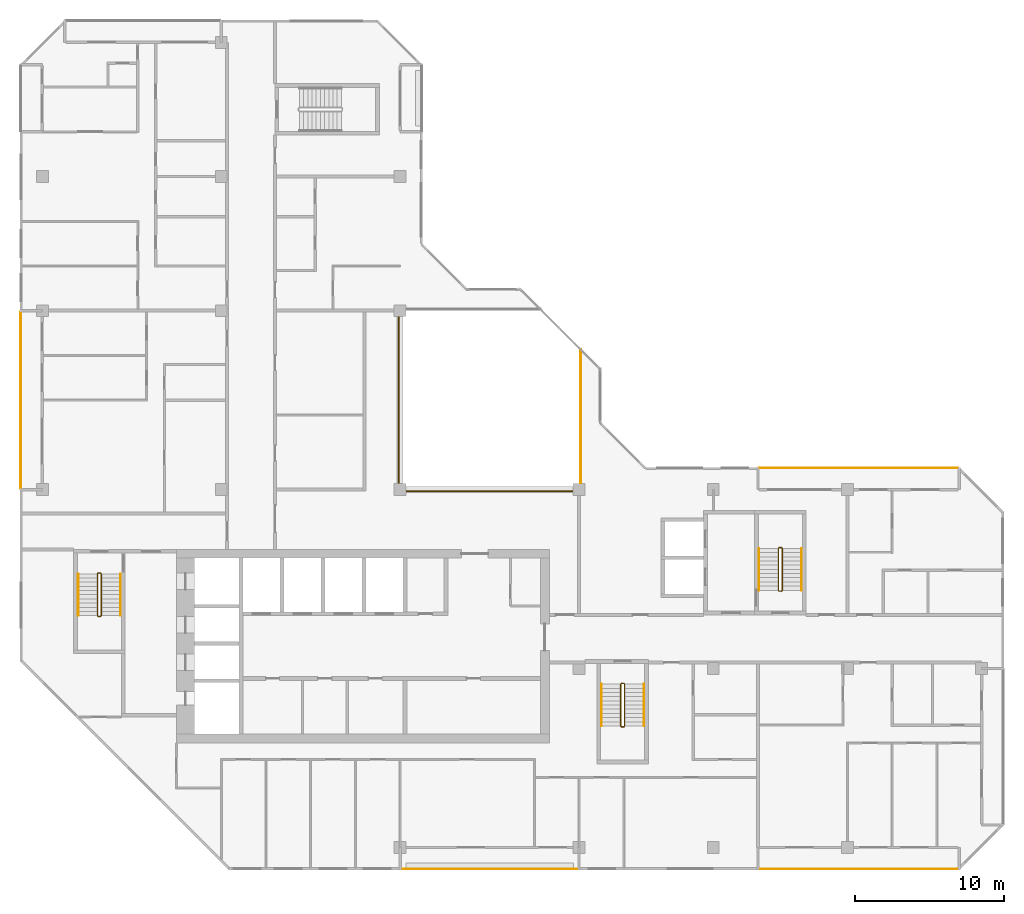
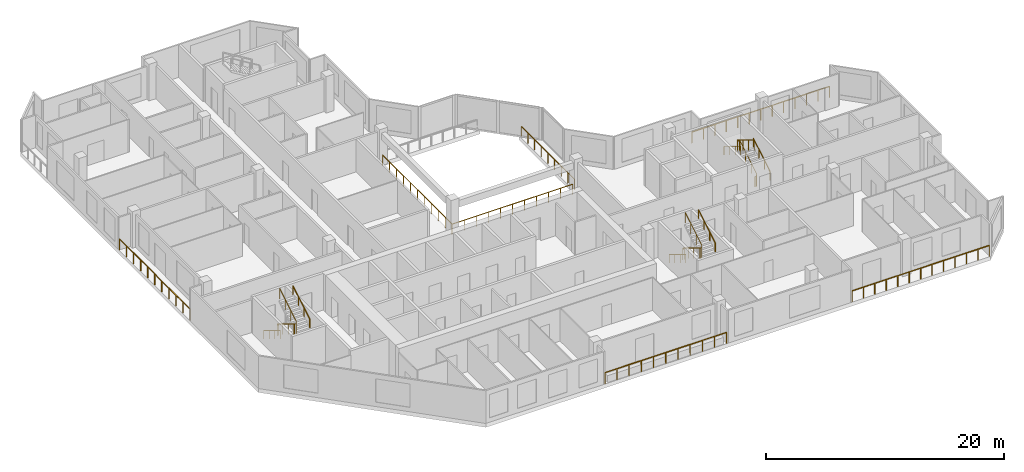
# One storey, part 12 of 13: 15 railings.
"""IFC4 building model written with IfcOpenShell, lengths in metres."""

import ifcopenshell
import ifcopenshell.guid

model = None  # the IFC model being written
_history = None  # IfcOwnerHistory: only IFC2X3 demands one
_inside = {}  # id of a spatial element -> (the spatial element, [elements in it])
_under = {}  # id of a project, library or spatial element -> (it, [spatial elements below it])
_declared = {}  # id of a project -> (the project, [libraries it declares])
_typed = {}  # id of a type object -> (the type object, [elements of that type])
_made_of = {}  # id of a material, layer set ... -> (it, [elements and type objects made of it])


def new_model(schema):
    """Start an empty IFC model of exactly this schema.

    Asked for "IFC4X3", IfcOpenShell would pick the latest addendum, in which some entities
    have other attributes; the version numbers below select the first issue.
    IFC2X3 requires an IfcOwnerHistory on every rooted entity: one is made here for all.
    """
    global model, _history
    if schema == "IFC4X3":
        model = ifcopenshell.file(schema_version=(4, 3, 0, 0))
    else:
        model = ifcopenshell.file(schema=schema)
    _inside.clear()
    _under.clear()
    _declared.clear()
    _typed.clear()
    _made_of.clear()
    _history = None
    if model.schema == "IFC2X3":
        org = make("IfcOrganization", Name="unknown")
        user = make(
            "IfcPersonAndOrganization",
            ThePerson=make("IfcPerson", FamilyName="unknown"),
            TheOrganization=org,
        )
        app = make(
            "IfcApplication",
            ApplicationDeveloper=org,
            Version="unknown",
            ApplicationFullName="unknown",
            ApplicationIdentifier="unknown",
        )
        _history = make(
            "IfcOwnerHistory",
            OwningUser=user,
            OwningApplication=app,
            ChangeAction="ADDED",
            CreationDate=0,
        )
    return model


def make(cls, **values):
    """One entity of the class cls with the attributes given. An attribute that is None is left unset."""
    return model.create_entity(
        cls, **{name: value for name, value in values.items() if value is not None}
    )


def rooted(cls, **values):
    """An entity with a GlobalId (a new one), such as an element, a storey or a relation."""
    return make(cls, GlobalId=ifcopenshell.guid.new(), OwnerHistory=_history, **values)


def si_unit(unit_type, name, prefix=None):
    """IfcSIUnit, for example si_unit("LENGTHUNIT", "METRE", prefix="MILLI")."""
    return make("IfcSIUnit", UnitType=unit_type, Prefix=prefix, Name=name)


def assignment(units):
    """IfcUnitAssignment: the units of a project."""
    return None if units is None else make("IfcUnitAssignment", Units=units)


def point(xyz):
    """IfcCartesianPoint."""
    return None if xyz is None else make("IfcCartesianPoint", Coordinates=xyz)


def direction(xyz):
    """IfcDirection."""
    return None if xyz is None else make("IfcDirection", DirectionRatios=xyz)


def frame(location, z_axis=None, x_axis=None):
    """IfcAxis2Placement3D, a coordinate frame: its origin and axes. An axis left out is left unset."""
    return make(
        "IfcAxis2Placement3D",
        Location=point(location),
        Axis=direction(z_axis),
        RefDirection=direction(x_axis),
    )


def frame_2d(location, x_axis=None):
    """IfcAxis2Placement2D, a coordinate frame in the plane: its origin and x axis."""
    return make(
        "IfcAxis2Placement2D", Location=point(location), RefDirection=direction(x_axis)
    )


def origin():
    """The frame at (0, 0, 0) with its axes left unset."""
    return frame((0.0, 0.0, 0.0))


def origin_2d():
    """The frame at (0, 0) in the plane with its x axis left unset."""
    return frame_2d((0.0, 0.0))


def place(relative_to, where):
    """IfcLocalPlacement: puts the frame where relative to a parent placement (None: the world)."""
    return make(
        "IfcLocalPlacement", PlacementRelTo=relative_to, RelativePlacement=where
    )


def context(
    kind, dimensions, precision=None, world=None, true_north=None, identifier=None
):
    """IfcGeometricRepresentationContext, for example the 3D "Model" context."""
    return make(
        "IfcGeometricRepresentationContext",
        ContextIdentifier=identifier,
        ContextType=kind,
        CoordinateSpaceDimension=dimensions,
        Precision=precision,
        WorldCoordinateSystem=world,
        TrueNorth=true_north,
    )


def subcontext(parent, identifier, kind, view, scale=None):
    """IfcGeometricRepresentationSubContext, for example "Body" below "Model"."""
    return make(
        "IfcGeometricRepresentationSubContext",
        ContextIdentifier=identifier,
        ContextType=kind,
        ParentContext=parent,
        TargetScale=scale,
        TargetView=view,
    )


def project(units=None, contexts=None):
    """IfcProject with its units and contexts."""
    return rooted(
        "IfcProject",
        Name="project",
        RepresentationContexts=contexts,
        UnitsInContext=assignment(units),
    )


def spatial(cls, under=None, at=None, **own):
    """A site, building, storey or space (cls), placed at a placement, below another one or the project."""
    s = rooted(cls, ObjectPlacement=at, **own)
    if under is not None:
        _under.setdefault(under.id(), (under, []))[1].append(s)
    return s


def profile(cls, at=None, kind="AREA", **sizes):
    """A parametric profile (cls). Its sizes go by their IFC names, for example OverallWidth=200.0."""
    return make(cls, ProfileType=kind, Position=at, **sizes)


def rectangle(**sizes):
    """IfcRectangleProfileDef."""
    return profile("IfcRectangleProfileDef", **sizes)


def extrude(swept, where, along, depth):
    """IfcExtrudedAreaSolid: the profile swept, set in the frame where, extruded along a direction by depth."""
    return make(
        "IfcExtrudedAreaSolid",
        SweptArea=swept,
        Position=where,
        ExtrudedDirection=direction(along),
        Depth=depth,
    )


def shape(context_of_items, identifier, shape_type, items):
    """IfcShapeRepresentation: the items that make up one representation, for example the "Body"."""
    return make(
        "IfcShapeRepresentation",
        ContextOfItems=context_of_items,
        RepresentationIdentifier=identifier,
        RepresentationType=shape_type,
        Items=items,
    )


def material(Name=None, Category=None):
    """IfcMaterial."""
    return make("IfcMaterial", Name=Name, Category=Category)


def made_of(thing, what):
    """Note that an element or type object is made of a material, layer set ...; save() writes the relation."""
    if what is not None:
        _made_of.setdefault(what.id(), (what, []))[1].append(thing)
    return thing


def type_object(cls, material=None, **own):
    """A type object (cls), such as IfcWallType, which elements share."""
    return made_of(rooted(cls, **own), material)


def element(
    cls,
    number,
    at=None,
    inside=None,
    cuts=None,
    type_object=None,
    material=None,
    context=None,
    identifier="Body",
    shape_type=None,
    held_by="IfcProductDefinitionShape",
    body=None,
    shapes=None,
    **own,
):
    """One element of the class cls, such as IfcWall. Its Tag is "e" and its number.

    at: its placement. inside: the storey or other place that contains it. cuts: it is an
    opening in that element (IfcRelVoidsElement). A single representation is given by context,
    identifier, shape_type and body (its items); several are given by shapes. held_by: the class
    of the entity that holds the representations. save() writes the other relations.
    """
    e = rooted(cls, Tag="e%d" % number, ObjectPlacement=at, **own)
    if body is not None:
        shapes = [shape(context, identifier, shape_type, body)]
    if shapes is not None:
        e.Representation = make(held_by, Representations=shapes)
    if inside is not None:
        _inside.setdefault(inside.id(), (inside, []))[1].append(e)
    if cuts is not None:
        rooted(
            "IfcRelVoidsElement", RelatingBuildingElement=cuts, RelatedOpeningElement=e
        )
    if type_object is not None:
        _typed.setdefault(type_object.id(), (type_object, []))[1].append(e)
    return made_of(e, material)


def aggregate(whole, parts):
    """IfcRelAggregates: a whole, such as a stair, and the parts it consists of."""
    return rooted("IfcRelAggregates", RelatingObject=whole, RelatedObjects=parts)


def save(model, path):
    """Write the relations noted so far, then the file.

    IfcRelAggregates (storeys below a building ...), IfcRelContainedInSpatialStructure (elements
    in a storey), IfcRelDefinesByType, IfcRelAssociatesMaterial and IfcRelDeclares: one each for
    every whole, place, type object, material and project.
    """
    for whole, parts in _under.values():
        aggregate(whole, parts)
    for where, things in _inside.values():
        rooted(
            "IfcRelContainedInSpatialStructure",
            RelatedElements=things,
            RelatingStructure=where,
        )
    for kind, things in _typed.values():
        rooted("IfcRelDefinesByType", RelatedObjects=things, RelatingType=kind)
    for what, things in _made_of.values():
        rooted("IfcRelAssociatesMaterial", RelatedObjects=things, RelatingMaterial=what)
    for by, libraries in _declared.values():
        rooted("IfcRelDeclares", RelatingContext=by, RelatedDefinitions=libraries)
    model.write(path)


model = new_model("IFC4")

# Units and contexts
model_context = context("Model", 3, precision=1e-05, world=origin(), true_north=direction((0.0, 1.0)))
body_context = subcontext(model_context, "Body", "Model", "MODEL_VIEW")
ifc_project = project(units=[si_unit("LENGTHUNIT", "METRE"), si_unit("AREAUNIT", "SQUARE_METRE"), si_unit("VOLUMEUNIT", "CUBIC_METRE"), si_unit("PLANEANGLEUNIT", "RADIAN"), si_unit("MASSUNIT", "GRAM", prefix="KILO")], contexts=[model_context])

# Site, building, storey
site_placement = place(None, origin())
site = spatial("IfcSite", under=ifc_project, at=site_placement, CompositionType="ELEMENT")
building_placement = place(site_placement, origin())
building = spatial("IfcBuilding", under=site, at=building_placement, Name="Chenar Terraces", CompositionType="ELEMENT")
storey_placement = place(building_placement, frame((0.0, 0.0, 277.14990234375)))
storey = spatial("IfcBuildingStorey", under=building, at=storey_placement, Name="L64", CompositionType="ELEMENT", Elevation=277.14990234375)

# Railings
ifc_material_1 = material(Name="Powder-coated steel", Category="steel")
railing_type_1 = type_object("IfcRailingType", Name="Guard 1100 steel rail with glass infill", PredefinedType="GUARDRAIL", material=ifc_material_1)
railing_1_placement = place(storey_placement, frame((23.89990234375, 35.60009765625, 0.0)))
element("IfcRailing", 1, at=railing_1_placement, inside=storey, type_object=railing_type_1, Name="Guard L64-1", PredefinedType="GUARDRAIL", context=body_context, shape_type="SweptSolid", body=[
    extrude(rectangle(XDim=0.06005859375, YDim=0.06005859375, at=origin_2d()), frame((0.0, 0.0, 1.070068359375), z_axis=(0.0, -1.0, 0.0), x_axis=(1.0, 0.0, 0.0)), (0.0, 0.0, 1.0), 11.7001953125),
    extrude(rectangle(XDim=0.06005859375, YDim=0.06005859375, at=origin_2d()), frame((0.0, -11.7001953125, 1.070068359375), z_axis=(1.0, 0.0, 0.0), x_axis=(0.0, 1.0, 0.0)), (0.0, 0.0, 1.0), 11.7001953125),
    extrude(rectangle(XDim=0.050048828125, YDim=0.050048828125, at=origin_2d()), origin(), (0.0, 0.0, 1.0), 1.0400390625),
    extrude(rectangle(XDim=0.050048828125, YDim=0.050048828125, at=origin_2d()), frame((0.0, -1.169921875, 0.0)), (0.0, 0.0, 1.0), 1.0400390625),
    extrude(rectangle(XDim=0.050048828125, YDim=0.050048828125, at=origin_2d()), frame((0.0, -2.340087890625, 0.0)), (0.0, 0.0, 1.0), 1.0400390625),
    extrude(rectangle(XDim=0.050048828125, YDim=0.050048828125, at=origin_2d()), frame((0.0, -3.510009765625, 0.0)), (0.0, 0.0, 1.0), 1.0400390625),
    extrude(rectangle(XDim=0.050048828125, YDim=0.050048828125, at=origin_2d()), frame((0.0, -4.68017578125, 0.0)), (0.0, 0.0, 1.0), 1.0400390625),
    extrude(rectangle(XDim=0.050048828125, YDim=0.050048828125, at=origin_2d()), frame((0.0, -5.85009765625, 0.0)), (0.0, 0.0, 1.0), 1.0400390625),
    extrude(rectangle(XDim=0.050048828125, YDim=0.050048828125, at=origin_2d()), frame((0.0, -7.02001953125, 0.0)), (0.0, 0.0, 1.0), 1.0400390625),
    extrude(rectangle(XDim=0.050048828125, YDim=0.050048828125, at=origin_2d()), frame((0.0, -8.190185546875, 0.0)), (0.0, 0.0, 1.0), 1.0400390625),
    extrude(rectangle(XDim=0.050048828125, YDim=0.050048828125, at=origin_2d()), frame((0.0, -9.360107421875, 0.0)), (0.0, 0.0, 1.0), 1.0400390625),
    extrude(rectangle(XDim=0.050048828125, YDim=0.050048828125, at=origin_2d()), frame((0.0, -10.5302734375, 0.0)), (0.0, 0.0, 1.0), 1.0400390625),
    extrude(rectangle(XDim=0.050048828125, YDim=0.050048828125, at=origin_2d()), frame((0.0, -11.7001953125, 0.0)), (0.0, 0.0, 1.0), 1.0400390625),
    extrude(rectangle(XDim=0.050048828125, YDim=0.050048828125, at=origin_2d()), frame((1.169921875, -11.7001953125, 0.0)), (0.0, 0.0, 1.0), 1.0400390625),
    extrude(rectangle(XDim=0.050048828125, YDim=0.050048828125, at=origin_2d()), frame((2.340087890625, -11.7001953125, 0.0)), (0.0, 0.0, 1.0), 1.0400390625),
    extrude(rectangle(XDim=0.050048828125, YDim=0.050048828125, at=origin_2d()), frame((3.510009765625, -11.7001953125, 0.0)), (0.0, 0.0, 1.0), 1.0400390625),
    extrude(rectangle(XDim=0.050048828125, YDim=0.050048828125, at=origin_2d()), frame((4.68017578125, -11.7001953125, 0.0)), (0.0, 0.0, 1.0), 1.0400390625),
    extrude(rectangle(XDim=0.050048828125, YDim=0.050048828125, at=origin_2d()), frame((5.85009765625, -11.7001953125, 0.0)), (0.0, 0.0, 1.0), 1.0400390625),
    extrude(rectangle(XDim=0.050048828125, YDim=0.050048828125, at=origin_2d()), frame((7.02001953125, -11.7001953125, 0.0)), (0.0, 0.0, 1.0), 1.0400390625),
    extrude(rectangle(XDim=0.050048828125, YDim=0.050048828125, at=origin_2d()), frame((8.190185546875, -11.7001953125, 0.0)), (0.0, 0.0, 1.0), 1.0400390625),
    extrude(rectangle(XDim=0.050048828125, YDim=0.050048828125, at=origin_2d()), frame((9.360107421875, -11.7001953125, 0.0)), (0.0, 0.0, 1.0), 1.0400390625),
    extrude(rectangle(XDim=0.050048828125, YDim=0.050048828125, at=origin_2d()), frame((10.5302734375, -11.7001953125, 0.0)), (0.0, 0.0, 1.0), 1.0400390625),
    extrude(rectangle(XDim=0.050048828125, YDim=0.050048828125, at=origin_2d()), frame((11.7001953125, -11.7001953125, 0.0)), (0.0, 0.0, 1.0), 1.0400390625),
])
railing_2_placement = place(storey_placement, frame((36.10009765625, 24.449951171875, 0.0)))
element("IfcRailing", 2, at=railing_2_placement, inside=storey, type_object=railing_type_1, Name="Guard L64-3", PredefinedType="GUARDRAIL", context=body_context, shape_type="SweptSolid", body=[
    extrude(rectangle(XDim=0.06005859375, YDim=0.06005859375, at=origin_2d()), frame((0.0, 0.0, 1.070068359375), z_axis=(0.0, 1.0, 0.0), x_axis=(-1.0, 0.0, 0.0)), (0.0, 0.0, 1.0), 8.949951171875),
    extrude(rectangle(XDim=0.050048828125, YDim=0.050048828125, at=origin_2d()), origin(), (0.0, 0.0, 1.0), 1.0400390625),
    extrude(rectangle(XDim=0.050048828125, YDim=0.050048828125, at=origin_2d()), frame((0.0, 1.11865234375, 0.0)), (0.0, 0.0, 1.0), 1.0400390625),
    extrude(rectangle(XDim=0.050048828125, YDim=0.050048828125, at=origin_2d()), frame((0.0, 2.237548828125, 0.0)), (0.0, 0.0, 1.0), 1.0400390625),
    extrude(rectangle(XDim=0.050048828125, YDim=0.050048828125, at=origin_2d()), frame((0.0, 3.356201171875, 0.0)), (0.0, 0.0, 1.0), 1.0400390625),
    extrude(rectangle(XDim=0.050048828125, YDim=0.050048828125, at=origin_2d()), frame((0.0, 4.47509765625, 0.0)), (0.0, 0.0, 1.0), 1.0400390625),
    extrude(rectangle(XDim=0.050048828125, YDim=0.050048828125, at=origin_2d()), frame((0.0, 5.59375, 0.0)), (0.0, 0.0, 1.0), 1.0400390625),
    extrude(rectangle(XDim=0.050048828125, YDim=0.050048828125, at=origin_2d()), frame((0.0, 6.71240234375, 0.0)), (0.0, 0.0, 1.0), 1.0400390625),
    extrude(rectangle(XDim=0.050048828125, YDim=0.050048828125, at=origin_2d()), frame((0.0, 7.831298828125, 0.0)), (0.0, 0.0, 1.0), 1.0400390625),
    extrude(rectangle(XDim=0.050048828125, YDim=0.050048828125, at=origin_2d()), frame((0.0, 8.949951171875, 0.0)), (0.0, 0.0, 1.0), 1.0400390625),
])
ifc_material_2 = material(Name="Stainless steel and glass", Category="steel")
railing_type_2 = type_object("IfcRailingType", Name="Loggia guard 1150", PredefinedType="GUARDRAIL", material=ifc_material_2)
railing_3_placement = place(storey_placement, frame((61.425048828125, 25.449951171875, 0.0)))
element("IfcRailing", 3, at=railing_3_placement, inside=storey, type_object=railing_type_2, Name="Loggia guard", PredefinedType="GUARDRAIL", context=body_context, shape_type="SweptSolid", body=[
    extrude(rectangle(XDim=0.048095703125, YDim=0.048095703125, at=origin_2d()), frame((0.0, 0.0, 1.1259765625), z_axis=(-1.0, 0.0, 0.0), x_axis=(0.0, -1.0, 0.0)), (0.0, 0.0, 1.0), 13.35009765625),
    extrude(rectangle(XDim=0.0419921875, YDim=0.0419921875, at=origin_2d()), origin(), (0.0, 0.0, 1.0), 1.101806640625),
    extrude(rectangle(XDim=0.0419921875, YDim=0.0419921875, at=origin_2d()), frame((-1.112548828125, 0.0, 0.0)), (0.0, 0.0, 1.0), 1.101806640625),
    extrude(rectangle(XDim=0.0419921875, YDim=0.0419921875, at=origin_2d()), frame((-2.22509765625, 0.0, 0.0)), (0.0, 0.0, 1.0), 1.101806640625),
    extrude(rectangle(XDim=0.0419921875, YDim=0.0419921875, at=origin_2d()), frame((-3.33740234375, 0.0, 0.0)), (0.0, 0.0, 1.0), 1.101806640625),
    extrude(rectangle(XDim=0.0419921875, YDim=0.0419921875, at=origin_2d()), frame((-4.449951171875, 0.0, 0.0)), (0.0, 0.0, 1.0), 1.101806640625),
    extrude(rectangle(XDim=0.0419921875, YDim=0.0419921875, at=origin_2d()), frame((-5.5625, 0.0, 0.0)), (0.0, 0.0, 1.0), 1.101806640625),
    extrude(rectangle(XDim=0.0419921875, YDim=0.0419921875, at=origin_2d()), frame((-6.675048828125, 0.0, 0.0)), (0.0, 0.0, 1.0), 1.101806640625),
    extrude(rectangle(XDim=0.0419921875, YDim=0.0419921875, at=origin_2d()), frame((-7.78759765625, 0.0, 0.0)), (0.0, 0.0, 1.0), 1.101806640625),
    extrude(rectangle(XDim=0.0419921875, YDim=0.0419921875, at=origin_2d()), frame((-8.900146484375, 0.0, 0.0)), (0.0, 0.0, 1.0), 1.101806640625),
    extrude(rectangle(XDim=0.0419921875, YDim=0.0419921875, at=origin_2d()), frame((-10.0126953125, 0.0, 0.0)), (0.0, 0.0, 1.0), 1.101806640625),
    extrude(rectangle(XDim=0.0419921875, YDim=0.0419921875, at=origin_2d()), frame((-11.125, 0.0, 0.0)), (0.0, 0.0, 1.0), 1.101806640625),
    extrude(rectangle(XDim=0.0419921875, YDim=0.0419921875, at=origin_2d()), frame((-12.237548828125, 0.0, 0.0)), (0.0, 0.0, 1.0), 1.101806640625),
    extrude(rectangle(XDim=0.0419921875, YDim=0.0419921875, at=origin_2d()), frame((-13.35009765625, 0.0, 0.0)), (0.0, 0.0, 1.0), 1.101806640625),
])
railing_4_placement = place(storey_placement, frame((24.074951171875, -1.449951171875, 0.0)))
element("IfcRailing", 4, at=railing_4_placement, inside=storey, type_object=railing_type_2, Name="Loggia guard", PredefinedType="GUARDRAIL", context=body_context, shape_type="SweptSolid", body=[
    extrude(rectangle(XDim=0.048095703125, YDim=0.048095703125, at=origin_2d()), frame((0.0, 0.0, 1.1259765625), z_axis=(1.0, 0.0, 0.0), x_axis=(0.0, 1.0, 0.0)), (0.0, 0.0, 1.0), 11.85009765625),
    extrude(rectangle(XDim=0.0419921875, YDim=0.0419921875, at=origin_2d()), origin(), (0.0, 0.0, 1.0), 1.101806640625),
    extrude(rectangle(XDim=0.0419921875, YDim=0.0419921875, at=origin_2d()), frame((1.18505859375, 0.0, 0.0)), (0.0, 0.0, 1.0), 1.101806640625),
    extrude(rectangle(XDim=0.0419921875, YDim=0.0419921875, at=origin_2d()), frame((2.3701171875, 0.0, 0.0)), (0.0, 0.0, 1.0), 1.101806640625),
    extrude(rectangle(XDim=0.0419921875, YDim=0.0419921875, at=origin_2d()), frame((3.554931640625, 0.0, 0.0)), (0.0, 0.0, 1.0), 1.101806640625),
    extrude(rectangle(XDim=0.0419921875, YDim=0.0419921875, at=origin_2d()), frame((4.739990234375, 0.0, 0.0)), (0.0, 0.0, 1.0), 1.101806640625),
    extrude(rectangle(XDim=0.0419921875, YDim=0.0419921875, at=origin_2d()), frame((5.925048828125, 0.0, 0.0)), (0.0, 0.0, 1.0), 1.101806640625),
    extrude(rectangle(XDim=0.0419921875, YDim=0.0419921875, at=origin_2d()), frame((7.110107421875, 0.0, 0.0)), (0.0, 0.0, 1.0), 1.101806640625),
    extrude(rectangle(XDim=0.0419921875, YDim=0.0419921875, at=origin_2d()), frame((8.295166015625, 0.0, 0.0)), (0.0, 0.0, 1.0), 1.101806640625),
    extrude(rectangle(XDim=0.0419921875, YDim=0.0419921875, at=origin_2d()), frame((9.47998046875, 0.0, 0.0)), (0.0, 0.0, 1.0), 1.101806640625),
    extrude(rectangle(XDim=0.0419921875, YDim=0.0419921875, at=origin_2d()), frame((10.6650390625, 0.0, 0.0)), (0.0, 0.0, 1.0), 1.101806640625),
    extrude(rectangle(XDim=0.0419921875, YDim=0.0419921875, at=origin_2d()), frame((11.85009765625, 0.0, 0.0)), (0.0, 0.0, 1.0), 1.101806640625),
])
railing_5_placement = place(storey_placement, frame((48.074951171875, -1.449951171875, 0.0)))
element("IfcRailing", 5, at=railing_5_placement, inside=storey, type_object=railing_type_2, Name="Loggia guard", PredefinedType="GUARDRAIL", context=body_context, shape_type="SweptSolid", body=[
    extrude(rectangle(XDim=0.048095703125, YDim=0.048095703125, at=origin_2d()), frame((0.0, 0.0, 1.1259765625), z_axis=(1.0, 0.0, 0.0), x_axis=(0.0, 1.0, 0.0)), (0.0, 0.0, 1.0), 13.35009765625),
    extrude(rectangle(XDim=0.0419921875, YDim=0.0419921875, at=origin_2d()), origin(), (0.0, 0.0, 1.0), 1.101806640625),
    extrude(rectangle(XDim=0.0419921875, YDim=0.0419921875, at=origin_2d()), frame((1.112548828125, 0.0, 0.0)), (0.0, 0.0, 1.0), 1.101806640625),
    extrude(rectangle(XDim=0.0419921875, YDim=0.0419921875, at=origin_2d()), frame((2.22509765625, 0.0, 0.0)), (0.0, 0.0, 1.0), 1.101806640625),
    extrude(rectangle(XDim=0.0419921875, YDim=0.0419921875, at=origin_2d()), frame((3.33740234375, 0.0, 0.0)), (0.0, 0.0, 1.0), 1.101806640625),
    extrude(rectangle(XDim=0.0419921875, YDim=0.0419921875, at=origin_2d()), frame((4.449951171875, 0.0, 0.0)), (0.0, 0.0, 1.0), 1.101806640625),
    extrude(rectangle(XDim=0.0419921875, YDim=0.0419921875, at=origin_2d()), frame((5.5625, 0.0, 0.0)), (0.0, 0.0, 1.0), 1.101806640625),
    extrude(rectangle(XDim=0.0419921875, YDim=0.0419921875, at=origin_2d()), frame((6.675048828125, 0.0, 0.0)), (0.0, 0.0, 1.0), 1.101806640625),
    extrude(rectangle(XDim=0.0419921875, YDim=0.0419921875, at=origin_2d()), frame((7.78759765625, 0.0, 0.0)), (0.0, 0.0, 1.0), 1.101806640625),
    extrude(rectangle(XDim=0.0419921875, YDim=0.0419921875, at=origin_2d()), frame((8.900146484375, 0.0, 0.0)), (0.0, 0.0, 1.0), 1.101806640625),
    extrude(rectangle(XDim=0.0419921875, YDim=0.0419921875, at=origin_2d()), frame((10.0126953125, 0.0, 0.0)), (0.0, 0.0, 1.0), 1.101806640625),
    extrude(rectangle(XDim=0.0419921875, YDim=0.0419921875, at=origin_2d()), frame((11.125, 0.0, 0.0)), (0.0, 0.0, 1.0), 1.101806640625),
    extrude(rectangle(XDim=0.0419921875, YDim=0.0419921875, at=origin_2d()), frame((12.237548828125, 0.0, 0.0)), (0.0, 0.0, 1.0), 1.101806640625),
    extrude(rectangle(XDim=0.0419921875, YDim=0.0419921875, at=origin_2d()), frame((13.35009765625, 0.0, 0.0)), (0.0, 0.0, 1.0), 1.101806640625),
])
railing_6_placement = place(storey_placement, frame((-1.449951171875, 35.925048828125, 0.0)))
element("IfcRailing", 6, at=railing_6_placement, inside=storey, type_object=railing_type_2, Name="Loggia guard", PredefinedType="GUARDRAIL", context=body_context, shape_type="SweptSolid", body=[
    extrude(rectangle(XDim=0.048095703125, YDim=0.048095703125, at=origin_2d()), frame((0.0, 0.0, 1.1259765625), z_axis=(0.0, -1.0, 0.0), x_axis=(1.0, 0.0, 0.0)), (0.0, 0.0, 1.0), 11.85009765625),
    extrude(rectangle(XDim=0.0419921875, YDim=0.0419921875, at=origin_2d()), origin(), (0.0, 0.0, 1.0), 1.101806640625),
    extrude(rectangle(XDim=0.0419921875, YDim=0.0419921875, at=origin_2d()), frame((0.0, -1.18505859375, 0.0)), (0.0, 0.0, 1.0), 1.101806640625),
    extrude(rectangle(XDim=0.0419921875, YDim=0.0419921875, at=origin_2d()), frame((0.0, -2.3701171875, 0.0)), (0.0, 0.0, 1.0), 1.101806640625),
    extrude(rectangle(XDim=0.0419921875, YDim=0.0419921875, at=origin_2d()), frame((0.0, -3.554931640625, 0.0)), (0.0, 0.0, 1.0), 1.101806640625),
    extrude(rectangle(XDim=0.0419921875, YDim=0.0419921875, at=origin_2d()), frame((0.0, -4.739990234375, 0.0)), (0.0, 0.0, 1.0), 1.101806640625),
    extrude(rectangle(XDim=0.0419921875, YDim=0.0419921875, at=origin_2d()), frame((0.0, -5.925048828125, 0.0)), (0.0, 0.0, 1.0), 1.101806640625),
    extrude(rectangle(XDim=0.0419921875, YDim=0.0419921875, at=origin_2d()), frame((0.0, -7.110107421875, 0.0)), (0.0, 0.0, 1.0), 1.101806640625),
    extrude(rectangle(XDim=0.0419921875, YDim=0.0419921875, at=origin_2d()), frame((0.0, -8.295166015625, 0.0)), (0.0, 0.0, 1.0), 1.101806640625),
    extrude(rectangle(XDim=0.0419921875, YDim=0.0419921875, at=origin_2d()), frame((0.0, -9.47998046875, 0.0)), (0.0, 0.0, 1.0), 1.101806640625),
    extrude(rectangle(XDim=0.0419921875, YDim=0.0419921875, at=origin_2d()), frame((0.0, -10.6650390625, 0.0)), (0.0, 0.0, 1.0), 1.101806640625),
    extrude(rectangle(XDim=0.0419921875, YDim=0.0419921875, at=origin_2d()), frame((0.0, -11.85009765625, 0.0)), (0.0, 0.0, 1.0), 1.101806640625),
])
ifc_material_3 = material(Name="Powder-coated steel", Category="steel")
railing_type_3 = type_object("IfcRailingType", Name="Stair guard 1100", PredefinedType="GUARDRAIL", material=ifc_material_3)
railing_7_placement = place(storey_placement, frame((3.949951171875, 18.35009765625, 3.75)))
element("IfcRailing", 7, at=railing_7_placement, inside=storey, type_object=railing_type_3, Name="L64 ST1 stair guard 1", PredefinedType="GUARDRAIL", context=body_context, shape_type="SweptSolid", body=[
    extrude(rectangle(XDim=0.048095703125, YDim=0.048095703125, at=origin_2d()), frame((0.0, 0.0, 1.076171875), z_axis=(0.0, -0.854202870247, -0.519939858505), x_axis=(1.0, 0.0, 0.0)), (0.0, 0.0, 1.0), 3.278076171875),
    extrude(rectangle(XDim=0.048095703125, YDim=0.048095703125, at=origin_2d()), frame((0.0, -2.800048828125, -0.62841796875), z_axis=(-0.270899902878, -0.270899902878, -0.923702595667), x_axis=(0.707106781187, -0.707106781187, 0.0)), (0.0, 0.0, 1.0), 0.184814453125),
    extrude(rectangle(XDim=0.048095703125, YDim=0.048095703125, at=origin_2d()), frame((-0.050048828125, -2.85009765625, -0.798828125), z_axis=(-1.0, 0.0, 0.0), x_axis=(0.0, -1.0, 0.0)), (0.0, 0.0, 1.0), 0.14990234375),
    extrude(rectangle(XDim=0.048095703125, YDim=0.048095703125, at=origin_2d()), frame((-0.199951171875, -2.85009765625, -0.798828125), z_axis=(-0.707106781187, 0.707106781187, 0.0), x_axis=(-0.707106781187, -0.707106781187, 0.0)), (0.0, 0.0, 1.0), 0.07080078125),
    extrude(rectangle(XDim=0.048095703125, YDim=0.048095703125, at=origin_2d()), frame((-0.25, -2.800048828125, -0.798828125), z_axis=(0.0, 0.854202870247, -0.519939858505), x_axis=(-1.0, 0.0, 0.0)), (0.0, 0.0, 1.0), 3.278076171875),
    extrude(rectangle(XDim=0.048095703125, YDim=0.048095703125, at=origin_2d()), frame((-0.25, 0.0, -2.50341796875), z_axis=(0.270996696079, 0.269674760976, -0.924032636873), x_axis=(-0.705375805398, 0.708833529934, 0.0)), (0.0, 0.0, 1.0), 0.1845703125),
    extrude(rectangle(XDim=0.048095703125, YDim=0.048095703125, at=origin_2d()), frame((-0.199951171875, 0.0498046875, -2.673828125), z_axis=(1.0, 0.0, 0.0), x_axis=(0.0, 1.0, 0.0)), (0.0, 0.0, 1.0), 0.14990234375),
    extrude(rectangle(XDim=0.0419921875, YDim=0.0419921875, at=origin_2d()), origin(), (0.0, 0.0, 1.0), 1.052001953125),
    extrude(rectangle(XDim=0.0419921875, YDim=0.0419921875, at=origin_2d()), frame((0.0, -0.933349609375, -0.568115234375)), (0.0, 0.0, 1.0), 1.052001953125),
    extrude(rectangle(XDim=0.0419921875, YDim=0.0419921875, at=origin_2d()), frame((0.0, -1.86669921875, -1.13623046875)), (0.0, 0.0, 1.0), 1.052001953125),
    extrude(rectangle(XDim=0.0419921875, YDim=0.0419921875, at=origin_2d()), frame((0.0, -2.800048828125, -1.704345703125)), (0.0, 0.0, 1.0), 1.052001953125),
    extrude(rectangle(XDim=0.0419921875, YDim=0.0419921875, at=origin_2d()), frame((-0.050048828125, -2.85009765625, -1.875)), (0.0, 0.0, 1.0), 1.052001953125),
    extrude(rectangle(XDim=0.0419921875, YDim=0.0419921875, at=origin_2d()), frame((-0.199951171875, -2.85009765625, -1.875)), (0.0, 0.0, 1.0), 1.052001953125),
    extrude(rectangle(XDim=0.0419921875, YDim=0.0419921875, at=origin_2d()), frame((-0.25, -2.800048828125, -1.875)), (0.0, 0.0, 1.0), 1.052001953125),
    extrude(rectangle(XDim=0.0419921875, YDim=0.0419921875, at=origin_2d()), frame((-0.25, -1.86669921875, -2.443115234375)), (0.0, 0.0, 1.0), 1.052001953125),
    extrude(rectangle(XDim=0.0419921875, YDim=0.0419921875, at=origin_2d()), frame((-0.25, -0.933349609375, -3.01123046875)), (0.0, 0.0, 1.0), 1.052001953125),
    extrude(rectangle(XDim=0.0419921875, YDim=0.0419921875, at=origin_2d()), frame((-0.25, 0.0, -3.579345703125)), (0.0, 0.0, 1.0), 1.052001953125),
    extrude(rectangle(XDim=0.0419921875, YDim=0.0419921875, at=origin_2d()), frame((-0.199951171875, 0.0498046875, -3.75)), (0.0, 0.0, 1.0), 1.052001953125),
    extrude(rectangle(XDim=0.0419921875, YDim=0.0419921875, at=origin_2d()), frame((-0.050048828125, 0.0498046875, -3.75)), (0.0, 0.0, 1.0), 1.052001953125),
])
railing_8_placement = place(storey_placement, frame((39.050048828125, 10.949951171875, 3.75)))
element("IfcRailing", 8, at=railing_8_placement, inside=storey, type_object=railing_type_3, Name="L64 ST2 stair guard 1", PredefinedType="GUARDRAIL", context=body_context, shape_type="SweptSolid", body=[
    extrude(rectangle(XDim=0.048095703125, YDim=0.048095703125, at=origin_2d()), frame((0.0, 0.0, 1.076171875), z_axis=(0.0, -0.854202870247, -0.519939858505), x_axis=(1.0, 0.0, 0.0)), (0.0, 0.0, 1.0), 3.278076171875),
    extrude(rectangle(XDim=0.048095703125, YDim=0.048095703125, at=origin_2d()), frame((0.0, -2.800048828125, -0.62841796875), z_axis=(-0.270996696079, -0.269674760976, -0.924032636873), x_axis=(0.705375805398, -0.708833529934, 0.0)), (0.0, 0.0, 1.0), 0.1845703125),
    extrude(rectangle(XDim=0.048095703125, YDim=0.048095703125, at=origin_2d()), frame((-0.050048828125, -2.849853515625, -0.798828125), z_axis=(-1.0, 0.0, 0.0), x_axis=(0.0, -1.0, 0.0)), (0.0, 0.0, 1.0), 0.14990234375),
    extrude(rectangle(XDim=0.048095703125, YDim=0.048095703125, at=origin_2d()), frame((-0.199951171875, -2.849853515625, -0.798828125), z_axis=(-0.708833529934, 0.705375805398, 0.0), x_axis=(-0.705375805398, -0.708833529934, 0.0)), (0.0, 0.0, 1.0), 0.070556640625),
    extrude(rectangle(XDim=0.048095703125, YDim=0.048095703125, at=origin_2d()), frame((-0.25, -2.800048828125, -0.798828125), z_axis=(0.0, 0.854202870247, -0.519939858505), x_axis=(-1.0, 0.0, 0.0)), (0.0, 0.0, 1.0), 3.278076171875),
    extrude(rectangle(XDim=0.048095703125, YDim=0.048095703125, at=origin_2d()), frame((-0.25, 0.0, -2.50341796875), z_axis=(0.270899902878, 0.270899902878, -0.923702595667), x_axis=(-0.707106781187, 0.707106781187, 0.0)), (0.0, 0.0, 1.0), 0.184814453125),
    extrude(rectangle(XDim=0.048095703125, YDim=0.048095703125, at=origin_2d()), frame((-0.199951171875, 0.050048828125, -2.673828125), z_axis=(1.0, 0.0, 0.0), x_axis=(0.0, 1.0, 0.0)), (0.0, 0.0, 1.0), 0.14990234375),
    extrude(rectangle(XDim=0.0419921875, YDim=0.0419921875, at=origin_2d()), origin(), (0.0, 0.0, 1.0), 1.052001953125),
    extrude(rectangle(XDim=0.0419921875, YDim=0.0419921875, at=origin_2d()), frame((0.0, -0.933349609375, -0.568115234375)), (0.0, 0.0, 1.0), 1.052001953125),
    extrude(rectangle(XDim=0.0419921875, YDim=0.0419921875, at=origin_2d()), frame((0.0, -1.86669921875, -1.13623046875)), (0.0, 0.0, 1.0), 1.052001953125),
    extrude(rectangle(XDim=0.0419921875, YDim=0.0419921875, at=origin_2d()), frame((0.0, -2.800048828125, -1.704345703125)), (0.0, 0.0, 1.0), 1.052001953125),
    extrude(rectangle(XDim=0.0419921875, YDim=0.0419921875, at=origin_2d()), frame((-0.050048828125, -2.849853515625, -1.875)), (0.0, 0.0, 1.0), 1.052001953125),
    extrude(rectangle(XDim=0.0419921875, YDim=0.0419921875, at=origin_2d()), frame((-0.199951171875, -2.849853515625, -1.875)), (0.0, 0.0, 1.0), 1.052001953125),
    extrude(rectangle(XDim=0.0419921875, YDim=0.0419921875, at=origin_2d()), frame((-0.25, -2.800048828125, -1.875)), (0.0, 0.0, 1.0), 1.052001953125),
    extrude(rectangle(XDim=0.0419921875, YDim=0.0419921875, at=origin_2d()), frame((-0.25, -1.86669921875, -2.443115234375)), (0.0, 0.0, 1.0), 1.052001953125),
    extrude(rectangle(XDim=0.0419921875, YDim=0.0419921875, at=origin_2d()), frame((-0.25, -0.933349609375, -3.01123046875)), (0.0, 0.0, 1.0), 1.052001953125),
    extrude(rectangle(XDim=0.0419921875, YDim=0.0419921875, at=origin_2d()), frame((-0.25, 0.0, -3.579345703125)), (0.0, 0.0, 1.0), 1.052001953125),
    extrude(rectangle(XDim=0.0419921875, YDim=0.0419921875, at=origin_2d()), frame((-0.199951171875, 0.050048828125, -3.75)), (0.0, 0.0, 1.0), 1.052001953125),
    extrude(rectangle(XDim=0.0419921875, YDim=0.0419921875, at=origin_2d()), frame((-0.050048828125, 0.050048828125, -3.75)), (0.0, 0.0, 1.0), 1.052001953125),
])
railing_9_placement = place(storey_placement, frame((49.375, 17.25, 3.75)))
element("IfcRailing", 9, at=railing_9_placement, inside=storey, type_object=railing_type_3, Name="L64 ST3 stair guard 1", PredefinedType="GUARDRAIL", context=body_context, shape_type="SweptSolid", body=[
    extrude(rectangle(XDim=0.048095703125, YDim=0.048095703125, at=origin_2d()), frame((0.0, 0.0, 1.076171875), z_axis=(0.0, 0.854202870247, -0.519939858505), x_axis=(-1.0, 0.0, 0.0)), (0.0, 0.0, 1.0), 3.278076171875),
    extrude(rectangle(XDim=0.048095703125, YDim=0.048095703125, at=origin_2d()), frame((0.0, 2.800048828125, -0.62841796875), z_axis=(0.270899902878, 0.270899902878, -0.923702595667), x_axis=(-0.707106781187, 0.707106781187, 0.0)), (0.0, 0.0, 1.0), 0.184814453125),
    extrude(rectangle(XDim=0.048095703125, YDim=0.048095703125, at=origin_2d()), frame((0.050048828125, 2.85009765625, -0.798828125), z_axis=(1.0, 0.0, 0.0), x_axis=(0.0, 1.0, 0.0)), (0.0, 0.0, 1.0), 0.14990234375),
    extrude(rectangle(XDim=0.048095703125, YDim=0.048095703125, at=origin_2d()), frame((0.199951171875, 2.85009765625, -0.798828125), z_axis=(0.707106781187, -0.707106781187, 0.0), x_axis=(0.707106781187, 0.707106781187, 0.0)), (0.0, 0.0, 1.0), 0.07080078125),
    extrude(rectangle(XDim=0.048095703125, YDim=0.048095703125, at=origin_2d()), frame((0.25, 2.800048828125, -0.798828125), z_axis=(0.0, -0.854202870247, -0.519939858505), x_axis=(1.0, 0.0, 0.0)), (0.0, 0.0, 1.0), 3.278076171875),
    extrude(rectangle(XDim=0.048095703125, YDim=0.048095703125, at=origin_2d()), frame((0.25, 0.0, -2.50341796875), z_axis=(-0.270899902878, -0.270899902878, -0.923702595667), x_axis=(0.707106781187, -0.707106781187, 0.0)), (0.0, 0.0, 1.0), 0.184814453125),
    extrude(rectangle(XDim=0.048095703125, YDim=0.048095703125, at=origin_2d()), frame((0.199951171875, -0.050048828125, -2.673828125), z_axis=(-1.0, 0.0, 0.0), x_axis=(0.0, -1.0, 0.0)), (0.0, 0.0, 1.0), 0.14990234375),
    extrude(rectangle(XDim=0.0419921875, YDim=0.0419921875, at=origin_2d()), origin(), (0.0, 0.0, 1.0), 1.052001953125),
    extrude(rectangle(XDim=0.0419921875, YDim=0.0419921875, at=origin_2d()), frame((0.0, 0.933349609375, -0.568115234375)), (0.0, 0.0, 1.0), 1.052001953125),
    extrude(rectangle(XDim=0.0419921875, YDim=0.0419921875, at=origin_2d()), frame((0.0, 1.86669921875, -1.13623046875)), (0.0, 0.0, 1.0), 1.052001953125),
    extrude(rectangle(XDim=0.0419921875, YDim=0.0419921875, at=origin_2d()), frame((0.0, 2.800048828125, -1.704345703125)), (0.0, 0.0, 1.0), 1.052001953125),
    extrude(rectangle(XDim=0.0419921875, YDim=0.0419921875, at=origin_2d()), frame((0.050048828125, 2.85009765625, -1.875)), (0.0, 0.0, 1.0), 1.052001953125),
    extrude(rectangle(XDim=0.0419921875, YDim=0.0419921875, at=origin_2d()), frame((0.199951171875, 2.85009765625, -1.875)), (0.0, 0.0, 1.0), 1.052001953125),
    extrude(rectangle(XDim=0.0419921875, YDim=0.0419921875, at=origin_2d()), frame((0.25, 2.800048828125, -1.875)), (0.0, 0.0, 1.0), 1.052001953125),
    extrude(rectangle(XDim=0.0419921875, YDim=0.0419921875, at=origin_2d()), frame((0.25, 1.86669921875, -2.443115234375)), (0.0, 0.0, 1.0), 1.052001953125),
    extrude(rectangle(XDim=0.0419921875, YDim=0.0419921875, at=origin_2d()), frame((0.25, 0.933349609375, -3.01123046875)), (0.0, 0.0, 1.0), 1.052001953125),
    extrude(rectangle(XDim=0.0419921875, YDim=0.0419921875, at=origin_2d()), frame((0.25, 0.0, -3.579345703125)), (0.0, 0.0, 1.0), 1.052001953125),
    extrude(rectangle(XDim=0.0419921875, YDim=0.0419921875, at=origin_2d()), frame((0.199951171875, -0.050048828125, -3.75)), (0.0, 0.0, 1.0), 1.052001953125),
    extrude(rectangle(XDim=0.0419921875, YDim=0.0419921875, at=origin_2d()), frame((0.050048828125, -0.050048828125, -3.75)), (0.0, 0.0, 1.0), 1.052001953125),
])
ifc_material_4 = material(Name="Powder-coated steel", Category="steel")
railing_type_4 = type_object("IfcRailingType", Name="Stair handrail 900", PredefinedType="HANDRAIL", material=ifc_material_4)
railing_10_placement = place(storey_placement, frame((2.39990234375, 18.35009765625, 0.170654296875)))
element("IfcRailing", 10, at=railing_10_placement, inside=storey, type_object=railing_type_4, Name="L64 ST1 stair handrail 1", PredefinedType="HANDRAIL", context=body_context, shape_type="SweptSolid", body=[
    extrude(rectangle(XDim=0.048095703125, YDim=0.048095703125, at=origin_2d()), frame((0.0, 0.0, 0.8759765625), z_axis=(0.0, -0.854202870247, 0.519939858505), x_axis=(1.0, 0.0, 0.0)), (0.0, 0.0, 1.0), 3.278076171875),
    extrude(rectangle(XDim=0.0419921875, YDim=0.0419921875, at=origin_2d()), origin(), (0.0, 0.0, 1.0), 0.851806640625),
    extrude(rectangle(XDim=0.0419921875, YDim=0.0419921875, at=origin_2d()), frame((0.0, -0.933349609375, 0.568115234375)), (0.0, 0.0, 1.0), 0.851806640625),
    extrude(rectangle(XDim=0.0419921875, YDim=0.0419921875, at=origin_2d()), frame((0.0, -1.86669921875, 1.13623046875)), (0.0, 0.0, 1.0), 0.851806640625),
    extrude(rectangle(XDim=0.0419921875, YDim=0.0419921875, at=origin_2d()), frame((0.0, -2.800048828125, 1.704345703125)), (0.0, 0.0, 1.0), 0.851806640625),
])
railing_11_placement = place(storey_placement, frame((5.25, 15.550048828125, 2.045654296875)))
element("IfcRailing", 11, at=railing_11_placement, inside=storey, type_object=railing_type_4, Name="L64 ST1 stair handrail 2", PredefinedType="HANDRAIL", context=body_context, shape_type="SweptSolid", body=[
    extrude(rectangle(XDim=0.048095703125, YDim=0.048095703125, at=origin_2d()), frame((0.0, 0.0, 0.8759765625), z_axis=(0.0, 0.854202870247, 0.519939858505), x_axis=(-1.0, 0.0, 0.0)), (0.0, 0.0, 1.0), 3.278076171875),
    extrude(rectangle(XDim=0.0419921875, YDim=0.0419921875, at=origin_2d()), origin(), (0.0, 0.0, 1.0), 0.851806640625),
    extrude(rectangle(XDim=0.0419921875, YDim=0.0419921875, at=origin_2d()), frame((0.0, 0.933349609375, 0.568115234375)), (0.0, 0.0, 1.0), 0.851806640625),
    extrude(rectangle(XDim=0.0419921875, YDim=0.0419921875, at=origin_2d()), frame((0.0, 1.86669921875, 1.13623046875)), (0.0, 0.0, 1.0), 0.851806640625),
    extrude(rectangle(XDim=0.0419921875, YDim=0.0419921875, at=origin_2d()), frame((0.0, 2.800048828125, 1.704345703125)), (0.0, 0.0, 1.0), 0.851806640625),
])
railing_12_placement = place(storey_placement, frame((37.5, 10.949951171875, 0.170654296875)))
element("IfcRailing", 12, at=railing_12_placement, inside=storey, type_object=railing_type_4, Name="L64 ST2 stair handrail 1", PredefinedType="HANDRAIL", context=body_context, shape_type="SweptSolid", body=[
    extrude(rectangle(XDim=0.048095703125, YDim=0.048095703125, at=origin_2d()), frame((0.0, 0.0, 0.8759765625), z_axis=(0.0, -0.854202870247, 0.519939858505), x_axis=(1.0, 0.0, 0.0)), (0.0, 0.0, 1.0), 3.278076171875),
    extrude(rectangle(XDim=0.0419921875, YDim=0.0419921875, at=origin_2d()), origin(), (0.0, 0.0, 1.0), 0.851806640625),
    extrude(rectangle(XDim=0.0419921875, YDim=0.0419921875, at=origin_2d()), frame((0.0, -0.933349609375, 0.568115234375)), (0.0, 0.0, 1.0), 0.851806640625),
    extrude(rectangle(XDim=0.0419921875, YDim=0.0419921875, at=origin_2d()), frame((0.0, -1.86669921875, 1.13623046875)), (0.0, 0.0, 1.0), 0.851806640625),
    extrude(rectangle(XDim=0.0419921875, YDim=0.0419921875, at=origin_2d()), frame((0.0, -2.800048828125, 1.704345703125)), (0.0, 0.0, 1.0), 0.851806640625),
])
for number, where, name in (
    (13, (40.35009765625, 8.14990234375, 2.045654296875), "L64 ST2 stair handrail 2"),
    (14, (50.925048828125, 17.25, 0.170654296875), "L64 ST3 stair handrail 1"),
):
    element("IfcRailing", number, at=place(storey_placement, frame(where)), inside=storey, type_object=railing_type_4, Name=name, PredefinedType="HANDRAIL", context=body_context, shape_type="SweptSolid", body=[
        extrude(rectangle(XDim=0.048095703125, YDim=0.048095703125, at=origin_2d()), frame((0.0, 0.0, 0.8759765625), z_axis=(0.0, 0.854202870247, 0.519939858505), x_axis=(-1.0, 0.0, 0.0)), (0.0, 0.0, 1.0), 3.278076171875),
        extrude(rectangle(XDim=0.0419921875, YDim=0.0419921875, at=origin_2d()), origin(), (0.0, 0.0, 1.0), 0.851806640625),
        extrude(rectangle(XDim=0.0419921875, YDim=0.0419921875, at=origin_2d()), frame((0.0, 0.933349609375, 0.568115234375)), (0.0, 0.0, 1.0), 0.851806640625),
        extrude(rectangle(XDim=0.0419921875, YDim=0.0419921875, at=origin_2d()), frame((0.0, 1.86669921875, 1.13623046875)), (0.0, 0.0, 1.0), 0.851806640625),
        extrude(rectangle(XDim=0.0419921875, YDim=0.0419921875, at=origin_2d()), frame((0.0, 2.800048828125, 1.704345703125)), (0.0, 0.0, 1.0), 0.851806640625),
    ])
railing_13_placement = place(storey_placement, frame((48.074951171875, 20.050048828125, 2.045654296875)))
element("IfcRailing", 15, at=railing_13_placement, inside=storey, type_object=railing_type_4, Name="L64 ST3 stair handrail 2", PredefinedType="HANDRAIL", context=body_context, shape_type="SweptSolid", body=[
    extrude(rectangle(XDim=0.048095703125, YDim=0.048095703125, at=origin_2d()), frame((0.0, 0.0, 0.8759765625), z_axis=(0.0, -0.854202870247, 0.519939858505), x_axis=(1.0, 0.0, 0.0)), (0.0, 0.0, 1.0), 3.278076171875),
    extrude(rectangle(XDim=0.0419921875, YDim=0.0419921875, at=origin_2d()), origin(), (0.0, 0.0, 1.0), 0.851806640625),
    extrude(rectangle(XDim=0.0419921875, YDim=0.0419921875, at=origin_2d()), frame((0.0, -0.933349609375, 0.568115234375)), (0.0, 0.0, 1.0), 0.851806640625),
    extrude(rectangle(XDim=0.0419921875, YDim=0.0419921875, at=origin_2d()), frame((0.0, -1.86669921875, 1.13623046875)), (0.0, 0.0, 1.0), 0.851806640625),
    extrude(rectangle(XDim=0.0419921875, YDim=0.0419921875, at=origin_2d()), frame((0.0, -2.800048828125, 1.704345703125)), (0.0, 0.0, 1.0), 0.851806640625),
])

save(model, "model.ifc")
